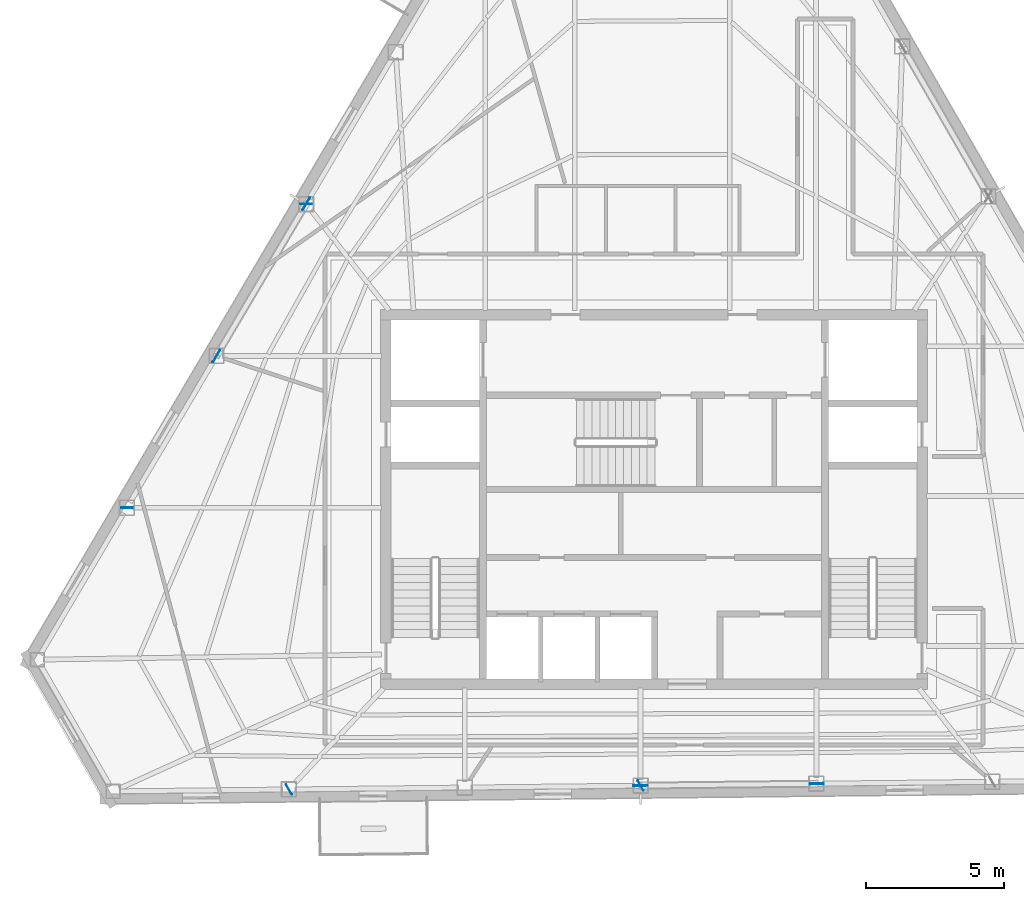
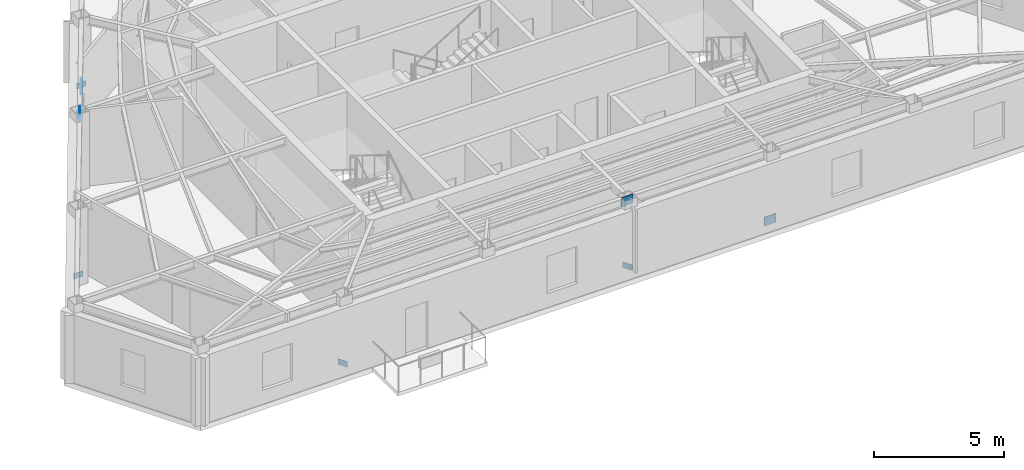
# One storey, part 4 of 11: 8 plates.
"""IFC4 building model written with IfcOpenShell, lengths in metres."""

import ifcopenshell
import ifcopenshell.guid

model = None  # the IFC model being written
_history = None  # IfcOwnerHistory: only IFC2X3 demands one
_inside = {}  # id of a spatial element -> (the spatial element, [elements in it])
_under = {}  # id of a project, library or spatial element -> (it, [spatial elements below it])
_declared = {}  # id of a project -> (the project, [libraries it declares])
_typed = {}  # id of a type object -> (the type object, [elements of that type])
_made_of = {}  # id of a material, layer set ... -> (it, [elements and type objects made of it])


def new_model(schema):
    """Start an empty IFC model of exactly this schema.

    Asked for "IFC4X3", IfcOpenShell would pick the latest addendum, in which some entities
    have other attributes; the version numbers below select the first issue.
    IFC2X3 requires an IfcOwnerHistory on every rooted entity: one is made here for all.
    """
    global model, _history
    if schema == "IFC4X3":
        model = ifcopenshell.file(schema_version=(4, 3, 0, 0))
    else:
        model = ifcopenshell.file(schema=schema)
    _inside.clear()
    _under.clear()
    _declared.clear()
    _typed.clear()
    _made_of.clear()
    _history = None
    if model.schema == "IFC2X3":
        org = make("IfcOrganization", Name="unknown")
        user = make(
            "IfcPersonAndOrganization",
            ThePerson=make("IfcPerson", FamilyName="unknown"),
            TheOrganization=org,
        )
        app = make(
            "IfcApplication",
            ApplicationDeveloper=org,
            Version="unknown",
            ApplicationFullName="unknown",
            ApplicationIdentifier="unknown",
        )
        _history = make(
            "IfcOwnerHistory",
            OwningUser=user,
            OwningApplication=app,
            ChangeAction="ADDED",
            CreationDate=0,
        )
    return model


def make(cls, **values):
    """One entity of the class cls with the attributes given. An attribute that is None is left unset."""
    return model.create_entity(
        cls, **{name: value for name, value in values.items() if value is not None}
    )


def rooted(cls, **values):
    """An entity with a GlobalId (a new one), such as an element, a storey or a relation."""
    return make(cls, GlobalId=ifcopenshell.guid.new(), OwnerHistory=_history, **values)


def si_unit(unit_type, name, prefix=None):
    """IfcSIUnit, for example si_unit("LENGTHUNIT", "METRE", prefix="MILLI")."""
    return make("IfcSIUnit", UnitType=unit_type, Prefix=prefix, Name=name)


def assignment(units):
    """IfcUnitAssignment: the units of a project."""
    return None if units is None else make("IfcUnitAssignment", Units=units)


def point(xyz):
    """IfcCartesianPoint."""
    return None if xyz is None else make("IfcCartesianPoint", Coordinates=xyz)


def direction(xyz):
    """IfcDirection."""
    return None if xyz is None else make("IfcDirection", DirectionRatios=xyz)


def frame(location, z_axis=None, x_axis=None):
    """IfcAxis2Placement3D, a coordinate frame: its origin and axes. An axis left out is left unset."""
    return make(
        "IfcAxis2Placement3D",
        Location=point(location),
        Axis=direction(z_axis),
        RefDirection=direction(x_axis),
    )


def frame_2d(location, x_axis=None):
    """IfcAxis2Placement2D, a coordinate frame in the plane: its origin and x axis."""
    return make(
        "IfcAxis2Placement2D", Location=point(location), RefDirection=direction(x_axis)
    )


def origin():
    """The frame at (0, 0, 0) with its axes left unset."""
    return frame((0.0, 0.0, 0.0))


def origin_2d():
    """The frame at (0, 0) in the plane with its x axis left unset."""
    return frame_2d((0.0, 0.0))


def place(relative_to, where):
    """IfcLocalPlacement: puts the frame where relative to a parent placement (None: the world)."""
    return make(
        "IfcLocalPlacement", PlacementRelTo=relative_to, RelativePlacement=where
    )


def context(
    kind, dimensions, precision=None, world=None, true_north=None, identifier=None
):
    """IfcGeometricRepresentationContext, for example the 3D "Model" context."""
    return make(
        "IfcGeometricRepresentationContext",
        ContextIdentifier=identifier,
        ContextType=kind,
        CoordinateSpaceDimension=dimensions,
        Precision=precision,
        WorldCoordinateSystem=world,
        TrueNorth=true_north,
    )


def subcontext(parent, identifier, kind, view, scale=None):
    """IfcGeometricRepresentationSubContext, for example "Body" below "Model"."""
    return make(
        "IfcGeometricRepresentationSubContext",
        ContextIdentifier=identifier,
        ContextType=kind,
        ParentContext=parent,
        TargetScale=scale,
        TargetView=view,
    )


def project(units=None, contexts=None):
    """IfcProject with its units and contexts."""
    return rooted(
        "IfcProject",
        Name="project",
        RepresentationContexts=contexts,
        UnitsInContext=assignment(units),
    )


def spatial(cls, under=None, at=None, **own):
    """A site, building, storey or space (cls), placed at a placement, below another one or the project."""
    s = rooted(cls, ObjectPlacement=at, **own)
    if under is not None:
        _under.setdefault(under.id(), (under, []))[1].append(s)
    return s


def profile(cls, at=None, kind="AREA", **sizes):
    """A parametric profile (cls). Its sizes go by their IFC names, for example OverallWidth=200.0."""
    return make(cls, ProfileType=kind, Position=at, **sizes)


def rectangle(**sizes):
    """IfcRectangleProfileDef."""
    return profile("IfcRectangleProfileDef", **sizes)


def extrude(swept, where, along, depth):
    """IfcExtrudedAreaSolid: the profile swept, set in the frame where, extruded along a direction by depth."""
    return make(
        "IfcExtrudedAreaSolid",
        SweptArea=swept,
        Position=where,
        ExtrudedDirection=direction(along),
        Depth=depth,
    )


def shape(context_of_items, identifier, shape_type, items):
    """IfcShapeRepresentation: the items that make up one representation, for example the "Body"."""
    return make(
        "IfcShapeRepresentation",
        ContextOfItems=context_of_items,
        RepresentationIdentifier=identifier,
        RepresentationType=shape_type,
        Items=items,
    )


def material(Name=None, Category=None):
    """IfcMaterial."""
    return make("IfcMaterial", Name=Name, Category=Category)


def layer(
    of_material, thickness, ventilated=None, Name=None, Category=None, Priority=None
):
    """IfcMaterialLayer: one layer of a wall or slab, of a material (None: an air gap)."""
    return make(
        "IfcMaterialLayer",
        Material=of_material,
        LayerThickness=thickness,
        IsVentilated=ventilated,
        Name=Name,
        Category=Category,
        Priority=Priority,
    )


def layer_set(layers, Name=None):
    """IfcMaterialLayerSet."""
    return make("IfcMaterialLayerSet", MaterialLayers=layers, LayerSetName=Name)


def made_of(thing, what):
    """Note that an element or type object is made of a material, layer set ...; save() writes the relation."""
    if what is not None:
        _made_of.setdefault(what.id(), (what, []))[1].append(thing)
    return thing


def type_object(cls, material=None, **own):
    """A type object (cls), such as IfcWallType, which elements share."""
    return made_of(rooted(cls, **own), material)


def element(
    cls,
    number,
    at=None,
    inside=None,
    cuts=None,
    type_object=None,
    material=None,
    context=None,
    identifier="Body",
    shape_type=None,
    held_by="IfcProductDefinitionShape",
    body=None,
    shapes=None,
    **own,
):
    """One element of the class cls, such as IfcWall. Its Tag is "e" and its number.

    at: its placement. inside: the storey or other place that contains it. cuts: it is an
    opening in that element (IfcRelVoidsElement). A single representation is given by context,
    identifier, shape_type and body (its items); several are given by shapes. held_by: the class
    of the entity that holds the representations. save() writes the other relations.
    """
    e = rooted(cls, Tag="e%d" % number, ObjectPlacement=at, **own)
    if body is not None:
        shapes = [shape(context, identifier, shape_type, body)]
    if shapes is not None:
        e.Representation = make(held_by, Representations=shapes)
    if inside is not None:
        _inside.setdefault(inside.id(), (inside, []))[1].append(e)
    if cuts is not None:
        rooted(
            "IfcRelVoidsElement", RelatingBuildingElement=cuts, RelatedOpeningElement=e
        )
    if type_object is not None:
        _typed.setdefault(type_object.id(), (type_object, []))[1].append(e)
    return made_of(e, material)


def aggregate(whole, parts):
    """IfcRelAggregates: a whole, such as a stair, and the parts it consists of."""
    return rooted("IfcRelAggregates", RelatingObject=whole, RelatedObjects=parts)


def save(model, path):
    """Write the relations noted so far, then the file.

    IfcRelAggregates (storeys below a building ...), IfcRelContainedInSpatialStructure (elements
    in a storey), IfcRelDefinesByType, IfcRelAssociatesMaterial and IfcRelDeclares: one each for
    every whole, place, type object, material and project.
    """
    for whole, parts in _under.values():
        aggregate(whole, parts)
    for where, things in _inside.values():
        rooted(
            "IfcRelContainedInSpatialStructure",
            RelatedElements=things,
            RelatingStructure=where,
        )
    for kind, things in _typed.values():
        rooted("IfcRelDefinesByType", RelatedObjects=things, RelatingType=kind)
    for what, things in _made_of.values():
        rooted("IfcRelAssociatesMaterial", RelatedObjects=things, RelatingMaterial=what)
    for by, libraries in _declared.values():
        rooted("IfcRelDeclares", RelatingContext=by, RelatedDefinitions=libraries)
    model.write(path)


model = new_model("IFC4")

# Units and contexts
model_context = context("Model", 3, precision=1e-05, world=origin(), true_north=direction((0.0, 1.0)))
body_context = subcontext(model_context, "Body", "Model", "MODEL_VIEW")
ifc_project = project(units=[si_unit("LENGTHUNIT", "METRE"), si_unit("AREAUNIT", "SQUARE_METRE"), si_unit("VOLUMEUNIT", "CUBIC_METRE"), si_unit("PLANEANGLEUNIT", "RADIAN"), si_unit("MASSUNIT", "GRAM", prefix="KILO")], contexts=[model_context])

# Site, building, storey
site_placement = place(None, origin())
site = spatial("IfcSite", under=ifc_project, at=site_placement, CompositionType="ELEMENT")
building_placement = place(site_placement, origin())
building = spatial("IfcBuilding", under=site, at=building_placement, Name="Kavelnor Concourse Tower", CompositionType="ELEMENT")
storey_placement = place(building_placement, frame((0.0, 0.0, 285.699951171875)))
storey = spatial("IfcBuildingStorey", under=building, at=storey_placement, Name="L72", CompositionType="ELEMENT", Elevation=285.699951171875)

# Plates
ifc_material = material(Name="Steel Grade 350", Category="steel")
ifc_layer_1 = layer(ifc_material, 0.031982421875, Name="Steel Grade 350")
ifc_layer_set_1 = layer_set([ifc_layer_1], Name="Steel Grade 350")
plate_type_1 = type_object("IfcPlateType", Name="PL-GUSSET-TUBE-Z1", PredefinedType="USERDEFINED", material=ifc_layer_set_1)
for number, where, z_axis, x_axis, name in (
    (1, (25.409423828125, 26.803466796875, 0.010009765625), (0.0, 0.0, 1.0), (-0.508139769859, -0.861274621876, 0.0), "L72 Tube Brace Gusset GP3 F0-B3 End Gusset A"),
    (2, (22.153076171875, 21.283447265625, 3.197021484375), (0.0, 0.0, 1.0), (-0.508139769859, -0.861274621876, 0.0), "L72 Tube Brace Gusset GP3 F0-B3 End Gusset B"),
    (3, (43.8955078125, 5.803466796875, 0.010009765625), (0.0, 0.0, 1.0), (-0.999939549282, -0.010995352723, 0.0), "L72 Tube Brace Gusset GP3 F1-B3 End Gusset A"),
    (4, (37.50439453125, 5.733642578125, 3.197021484375), (0.0, 0.0, 1.0), (-0.999939549282, -0.010995352723, 0.0), "L72 Tube Brace Gusset GP3 F1-B3 End Gusset B"),
):
    element("IfcPlate", number, at=place(storey_placement, frame(where, z_axis=z_axis, x_axis=x_axis)), inside=storey, type_object=plate_type_1, Name=name, ObjectType="GUSSET_PLATE", PredefinedType="USERDEFINED", context=body_context, shape_type="SweptSolid", body=[
        extrude(rectangle(XDim=0.52001953125, YDim=0.031982421875, at=origin_2d()), origin(), (0.0, 0.0, 1.0), 0.419921875),
    ])
ifc_layer_2 = layer(ifc_material, 0.02490234375, Name="Steel Grade 350")
ifc_layer_set_2 = layer_set([ifc_layer_2], Name="Steel Grade 350")
plate_type_2 = type_object("IfcPlateType", Name="PL-SPLICE-FLANGE", PredefinedType="SHEET", material=ifc_layer_set_2)
for number, where, z_axis, x_axis, name in (
    (5, (25.4033203125, 26.793212890625, 0.169921875), (0.0, 0.0, 1.0), (1.0, 0.0, 0.0), "L72 Column Flange Splice Plate F0-B3"),
    (6, (18.9150390625, 15.794189453125, 0.169921875), (0.0, 0.0, 1.0), (1.0, 0.0, 0.0), "L72 Column Flange Splice Plate F0-B5"),
    (7, (24.781982421875, 5.594482421875, 0.169921875), (0.0, 0.0, 1.0), (-0.5, 0.866025403784, 0.0), "L72 Column Flange Splice Plate F1-B1"),
    (8, (37.516357421875, 5.73388671875, 0.169921875), (0.0, 0.0, 1.0), (-0.5, 0.866025403784, 0.0), "L72 Column Flange Splice Plate F1-B3"),
):
    element("IfcPlate", number, at=place(storey_placement, frame(where, z_axis=z_axis, x_axis=x_axis)), inside=storey, type_object=plate_type_2, Name=name, PredefinedType="SHEET", context=body_context, shape_type="SweptSolid", body=[
        extrude(rectangle(XDim=0.419921875, YDim=0.02490234375, at=origin_2d()), origin(), (0.0, 0.0, 1.0), 0.260009765625),
    ])

save(model, "model.ifc")
